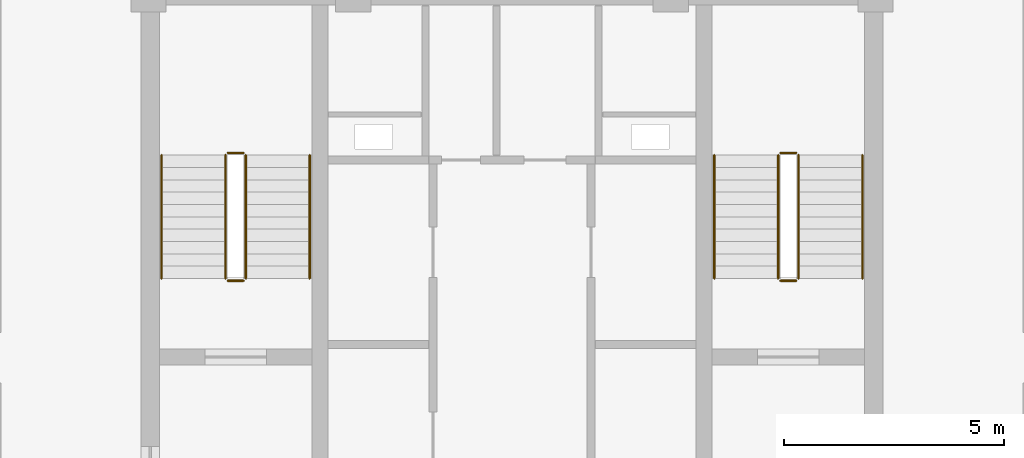
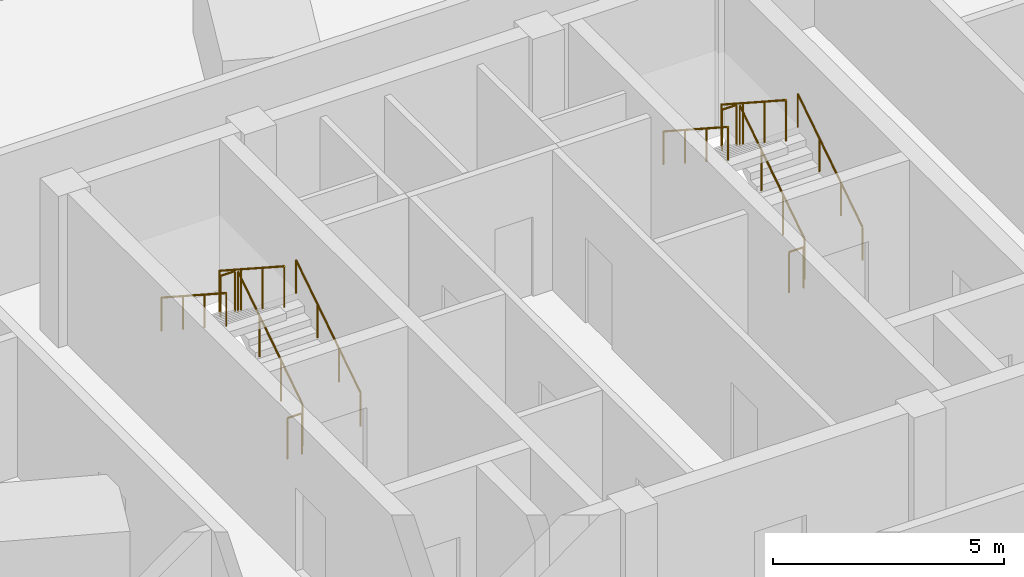
# One storey, part 25 of 26: 12 railings.
"""IFC4 building model written with IfcOpenShell, lengths in metres."""

from ifc_helpers import new_model, si_unit, direction, frame, origin, origin_2d, place, context, subcontext, project, spatial, circle, extrude, source, transform, mapped, material, type_object, element, save


model = new_model("IFC4")

# Units and contexts
model_context = context("Model", 3, precision=1e-05, world=origin(), true_north=direction((0.0, 1.0)))
body_context = subcontext(model_context, "Body", "Model", "MODEL_VIEW")
ifc_project = project(units=[si_unit("LENGTHUNIT", "METRE"), si_unit("AREAUNIT", "SQUARE_METRE"), si_unit("VOLUMEUNIT", "CUBIC_METRE"), si_unit("PLANEANGLEUNIT", "RADIAN"), si_unit("MASSUNIT", "GRAM", prefix="KILO"), si_unit("THERMODYNAMICTEMPERATUREUNIT", "KELVIN")], contexts=[model_context])

# Site, building, storey
site_placement = place(None, origin())
site = spatial("IfcSite", under=ifc_project, at=site_placement, CompositionType="ELEMENT")
building_placement = place(site_placement, origin())
building = spatial("IfcBuilding", under=site, at=building_placement, Name="Kosmvard Interchange Tower", CompositionType="ELEMENT")
storey_placement = place(building_placement, frame((0.0, 0.0, 337.60009765625)))
storey = spatial("IfcBuildingStorey", under=building, at=storey_placement, Name="L83", CompositionType="ELEMENT", Elevation=337.60009765625)

# Railings
ifc_material = material(Name="Steel S355", Category="steel")
railing_type_1 = type_object("IfcRailingType", Name="Stair & Terrace Safety Guardrail 1100 Steel", PredefinedType="GUARDRAIL", material=ifc_material)
shared_shape_1 = source(origin(), body_context, "Body", "SweptSolid", [
    extrude(circle(Radius=0.02392578125, at=origin_2d()), frame((0.0, 0.0, 1.076171875), z_axis=(-1.0, 0.0, 0.0), x_axis=(0.0, -1.0, 0.0)), (0.0, 0.0, 1.0), 0.35986328125),
    extrude(circle(Radius=0.02099609375, at=origin_2d()), origin(), (0.0, 0.0, 1.0), 1.052001953125),
    extrude(circle(Radius=0.02099609375, at=origin_2d()), frame((-0.35986328125, 0.0, 0.0)), (0.0, 0.0, 1.0), 1.052001953125),
])
for number, where, name in (
    (1, (-6.090087890625, 4.64990234375, 2.0), "L83 ST-1 stair guard 2"),
    (2, (-6.090087890625, 1.75, 0.0), "L83 ST-1 stair guard 4"),
    (3, (6.449951171875, 4.64990234375, 2.0), "L83 ST-2 stair guard 2"),
    (4, (6.449951171875, 1.75, 0.0), "L83 ST-2 stair guard 4"),
):
    element("IfcRailing", number, at=place(storey_placement, frame(where)), inside=storey, type_object=railing_type_1, Name=name, PredefinedType="GUARDRAIL", context=body_context, shape_type="MappedRepresentation", body=[
        mapped(shared_shape_1, transform((0.0, 0.0, 0.0), scale=1.0)),
    ])
shared_shape_2 = source(origin(), body_context, "Body", "SweptSolid", [
    extrude(circle(Radius=0.02392578125, at=origin_2d()), frame((0.0, 0.0, 1.076171875), z_axis=(0.0, 0.838672427954, 0.544636170843), x_axis=(-1.0, 0.0, 0.0)), (0.0, 0.0, 1.0), 3.338623046875),
    extrude(circle(Radius=0.02099609375, at=origin_2d()), origin(), (0.0, 0.0, 1.0), 1.052001953125),
    extrude(circle(Radius=0.02099609375, at=origin_2d()), frame((0.0, 0.933349609375, 0.606201171875)), (0.0, 0.0, 1.0), 1.052001953125),
    extrude(circle(Radius=0.02099609375, at=origin_2d()), frame((0.0, 1.86669921875, 1.212158203125)), (0.0, 0.0, 1.0), 1.052001953125),
    extrude(circle(Radius=0.02099609375, at=origin_2d()), frame((0.0, 2.800048828125, 1.818359375)), (0.0, 0.0, 1.0), 1.052001953125),
])
for number, where, name in (
    (5, (-6.0400390625, 1.800048828125, 0.181640625), "L83 ST-1 stair guard 1"),
    (6, (6.5, 1.800048828125, 0.181640625), "L83 ST-2 stair guard 1"),
):
    element("IfcRailing", number, at=place(storey_placement, frame(where)), inside=storey, type_object=railing_type_1, Name=name, PredefinedType="GUARDRAIL", context=body_context, shape_type="MappedRepresentation", body=[
        mapped(shared_shape_2, transform((0.0, 0.0, 0.0), scale=1.0)),
    ])
shared_shape_3 = source(origin(), body_context, "Body", "SweptSolid", [
    extrude(circle(Radius=0.02392578125, at=origin_2d()), frame((0.0, 0.0, 1.076171875), z_axis=(0.0, -0.838672427954, 0.544636170843), x_axis=(1.0, 0.0, 0.0)), (0.0, 0.0, 1.0), 3.338623046875),
    extrude(circle(Radius=0.02099609375, at=origin_2d()), origin(), (0.0, 0.0, 1.0), 1.052001953125),
    extrude(circle(Radius=0.02099609375, at=origin_2d()), frame((0.0, -0.933349609375, 0.606201171875)), (0.0, 0.0, 1.0), 1.052001953125),
    extrude(circle(Radius=0.02099609375, at=origin_2d()), frame((0.0, -1.86669921875, 1.212158203125)), (0.0, 0.0, 1.0), 1.052001953125),
    extrude(circle(Radius=0.02099609375, at=origin_2d()), frame((0.0, -2.800048828125, 1.818359375)), (0.0, 0.0, 1.0), 1.052001953125),
])
for number, where, name in (
    (7, (-6.5, 4.60009765625, 2.181640625), "L83 ST-1 stair guard 3"),
    (8, (6.0400390625, 4.60009765625, 2.181640625), "L83 ST-2 stair guard 3"),
):
    element("IfcRailing", number, at=place(storey_placement, frame(where)), inside=storey, type_object=railing_type_1, Name=name, PredefinedType="GUARDRAIL", context=body_context, shape_type="MappedRepresentation", body=[
        mapped(shared_shape_3, transform((0.0, 0.0, 0.0), scale=1.0)),
    ])
railing_type_2 = type_object("IfcRailingType", Name="Wall-Mounted Stair Handrail 900 Steel", PredefinedType="HANDRAIL", material=ifc_material)
shared_shape_4 = source(origin(), body_context, "Body", "SweptSolid", [
    extrude(circle(Radius=0.02392578125, at=origin_2d()), frame((0.0, 0.0, 0.8759765625), z_axis=(0.0, 0.838672427954, 0.544636170843), x_axis=(-1.0, 0.0, 0.0)), (0.0, 0.0, 1.0), 3.338623046875),
    extrude(circle(Radius=0.02099609375, at=origin_2d()), origin(), (0.0, 0.0, 1.0), 0.851806640625),
    extrude(circle(Radius=0.02099609375, at=origin_2d()), frame((0.0, 0.933349609375, 0.606201171875)), (0.0, 0.0, 1.0), 0.851806640625),
    extrude(circle(Radius=0.02099609375, at=origin_2d()), frame((0.0, 1.86669921875, 1.212158203125)), (0.0, 0.0, 1.0), 0.851806640625),
    extrude(circle(Radius=0.02099609375, at=origin_2d()), frame((0.0, 2.800048828125, 1.818359375)), (0.0, 0.0, 1.0), 0.851806640625),
])
for number, where, name in (
    (9, (-4.590087890625, 1.800048828125, 0.181640625), "L83 ST-1 stair handrail 1"),
    (10, (7.949951171875, 1.800048828125, 0.181640625), "L83 ST-2 stair handrail 1"),
):
    element("IfcRailing", number, at=place(storey_placement, frame(where)), inside=storey, type_object=railing_type_2, Name=name, PredefinedType="HANDRAIL", context=body_context, shape_type="MappedRepresentation", body=[
        mapped(shared_shape_4, transform((0.0, 0.0, 0.0), scale=1.0)),
    ])
shared_shape_5 = source(origin(), body_context, "Body", "SweptSolid", [
    extrude(circle(Radius=0.02392578125, at=origin_2d()), frame((0.0, 0.0, 0.8759765625), z_axis=(0.0, -0.838672427954, 0.544636170843), x_axis=(1.0, 0.0, 0.0)), (0.0, 0.0, 1.0), 3.338623046875),
    extrude(circle(Radius=0.02099609375, at=origin_2d()), origin(), (0.0, 0.0, 1.0), 0.851806640625),
    extrude(circle(Radius=0.02099609375, at=origin_2d()), frame((0.0, -0.933349609375, 0.606201171875)), (0.0, 0.0, 1.0), 0.851806640625),
    extrude(circle(Radius=0.02099609375, at=origin_2d()), frame((0.0, -1.86669921875, 1.212158203125)), (0.0, 0.0, 1.0), 0.851806640625),
    extrude(circle(Radius=0.02099609375, at=origin_2d()), frame((0.0, -2.800048828125, 1.818359375)), (0.0, 0.0, 1.0), 0.851806640625),
])
for number, where, name in (
    (11, (-7.949951171875, 4.60009765625, 2.181640625), "L83 ST-1 stair handrail 2"),
    (12, (4.590087890625, 4.60009765625, 2.181640625), "L83 ST-2 stair handrail 2"),
):
    element("IfcRailing", number, at=place(storey_placement, frame(where)), inside=storey, type_object=railing_type_2, Name=name, PredefinedType="HANDRAIL", context=body_context, shape_type="MappedRepresentation", body=[
        mapped(shared_shape_5, transform((0.0, 0.0, 0.0), scale=1.0)),
    ])

save(model, "model.ifc")
